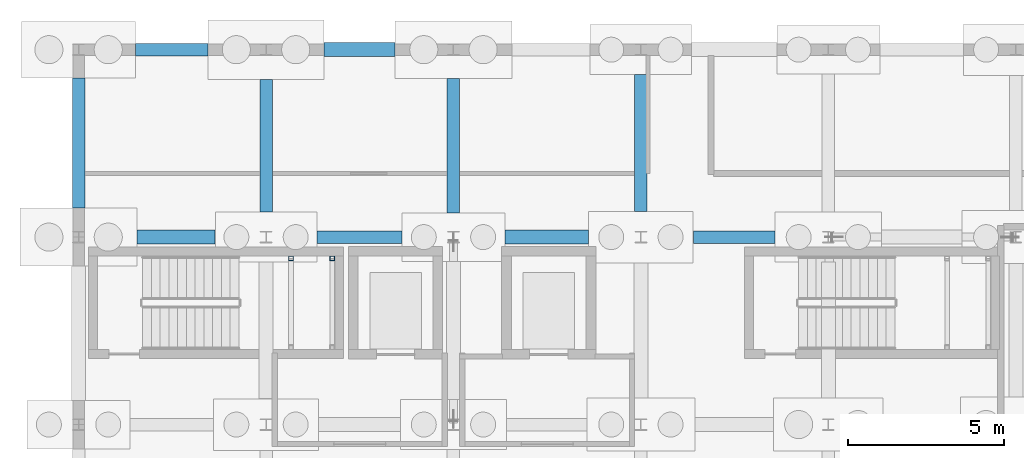
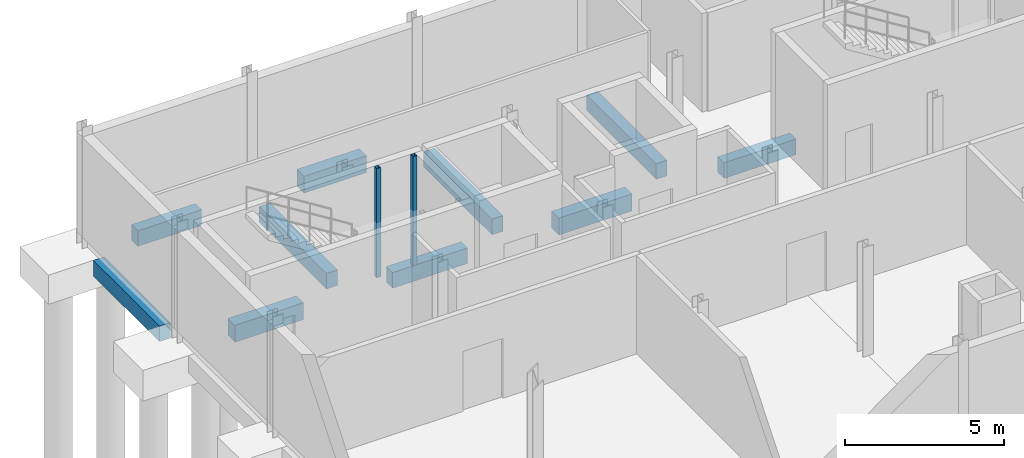
# One storey, part 5 of 12: 10 beams, 2 members.
"""IFC4 building model written with IfcOpenShell, lengths in metres."""

from ifc_helpers import new_model, si_unit, direction, frame, origin, origin_2d, place, context, subcontext, project, spatial, rectangle, hollow_rectangle, extrude, material, material_profile, profile_set, type_object, element, save


model = new_model("IFC4")

# Units and contexts
model_context = context("Model", 3, precision=1e-05, world=origin(), true_north=direction((0.0, 1.0)))
body_context = subcontext(model_context, "Body", "Model", "MODEL_VIEW")
ifc_project = project(units=[si_unit("LENGTHUNIT", "METRE"), si_unit("AREAUNIT", "SQUARE_METRE"), si_unit("VOLUMEUNIT", "CUBIC_METRE"), si_unit("PLANEANGLEUNIT", "RADIAN"), si_unit("MASSUNIT", "GRAM", prefix="KILO")], contexts=[model_context])

# Site, building, storey
site_placement = place(None, origin())
site = spatial("IfcSite", under=ifc_project, at=site_placement, CompositionType="ELEMENT")
building_placement = place(site_placement, origin())
building = spatial("IfcBuilding", under=site, at=building_placement, Name="Siltcreek Boulevard Central Fire Station", CompositionType="ELEMENT")
storey_placement = place(building_placement, frame((0.0, 0.0, -4.199951171875)))
storey = spatial("IfcBuildingStorey", under=building, at=storey_placement, Name="B01", CompositionType="ELEMENT", Elevation=-4.199951171875)

# Members
ifc_material_1 = material(Name="Structural steel ASTM A500 GrC", Category="steel")
ifc_material_profile_1 = material_profile(ifc_material_1, hollow_rectangle(XDim=0.14990234375, YDim=0.14990234375, WallThickness=0.008056640625, at=origin_2d()), Name="HSS150X150X8.0")
ifc_profile_set_1 = profile_set([ifc_material_profile_1], Name="Structural steel ASTM A500 GrC")
member_type = type_object("IfcMemberType", Name="BR_HSS150_8", PredefinedType="BRACE", material=ifc_profile_set_1)
for number, where, z_axis, x_axis, name in (
    (1, (131.0, 105.52001953125, 0.0), (0.0, 0.0, 1.0), (1.0, 0.0, 0.0), "B01 ST-V5A stair landing corner post NW"),
    (2, (132.320068359375, 105.52001953125, 0.0), (0.0, 0.0, 1.0), (1.0, 0.0, 0.0), "B01 ST-V5A stair landing corner post NE"),
):
    element("IfcMember", number, at=place(storey_placement, frame(where, z_axis=z_axis, x_axis=x_axis)), inside=storey, type_object=member_type, Name=name, PredefinedType="BRACE", context=body_context, shape_type="SweptSolid", body=[
        extrude(hollow_rectangle(XDim=0.14990234375, YDim=0.14990234375, WallThickness=0.008056640625, at=origin_2d()), origin(), (0.0, 0.0, 1.0), 4.199951171875),
    ])

# Beams
ifc_material_2 = material(Name="Concrete C35/45", Category="concrete")
ifc_material_profile_2 = material_profile(ifc_material_2, rectangle(XDim=0.39990234375, YDim=0.60009765625, at=origin_2d()), Name="RC400X600")
ifc_profile_set_2 = profile_set([ifc_material_profile_2], Name="Concrete C35/45")
beam_type_1 = type_object("IfcBeamType", Name="GB_RC400X600", PredefinedType="USERDEFINED", material=ifc_profile_set_2)
beam_1_placement = place(storey_placement, frame((131.826904296875, 106.199951171875, -0.75), z_axis=(1.0, 0.0, 0.0), x_axis=(0.0, 1.0, 0.0)))
element("IfcBeam", 3, at=beam_1_placement, inside=storey, type_object=beam_type_1, Name="Reinforced concrete tie grade beam GB-253", ObjectType="GRADE BEAM", PredefinedType="USERDEFINED", context=body_context, shape_type="SweptSolid", body=[
    extrude(rectangle(XDim=0.39990234375, YDim=0.60009765625, at=origin_2d()), origin(), (0.0, 0.0, 1.0), 2.72119140625),
])
beam_2_placement = place(storey_placement, frame((143.876953125, 106.199951171875, -0.75), z_axis=(1.0, 0.0, 0.0), x_axis=(0.0, 1.0, 0.0)))
element("IfcBeam", 4, at=beam_2_placement, inside=storey, type_object=beam_type_1, Name="Reinforced concrete tie grade beam GB-255", ObjectType="GRADE BEAM", PredefinedType="USERDEFINED", context=body_context, shape_type="SweptSolid", body=[
    extrude(rectangle(XDim=0.39990234375, YDim=0.60009765625, at=origin_2d()), origin(), (0.0, 0.0, 1.0), 2.62109375),
])
beam_3_placement = place(storey_placement, frame((126.027099609375, 112.199951171875, -0.75), z_axis=(1.0, 0.0, 0.0), x_axis=(0.0, 1.0, 0.0)))
element("IfcBeam", 5, at=beam_3_placement, inside=storey, type_object=beam_type_1, Name="Reinforced concrete tie grade beam GB-259", ObjectType="GRADE BEAM", PredefinedType="USERDEFINED", context=body_context, shape_type="SweptSolid", body=[
    extrude(rectangle(XDim=0.39990234375, YDim=0.60009765625, at=origin_2d()), origin(), (0.0, 0.0, 1.0), 2.32080078125),
])
beam_4_placement = place(storey_placement, frame((124.199951171875, 107.126953125, -0.75), z_axis=(0.0, 1.0, 0.0), x_axis=(-1.0, 0.0, 0.0)))
element("IfcBeam", 6, at=beam_4_placement, inside=storey, type_object=beam_type_1, Name="Reinforced concrete tie grade beam GB-269", ObjectType="GRADE BEAM", PredefinedType="USERDEFINED", context=body_context, shape_type="SweptSolid", body=[
    extrude(rectangle(XDim=0.39990234375, YDim=0.60009765625, at=origin_2d()), origin(), (0.0, 0.0, 1.0), 4.171142578125),
])
beam_5_placement = place(storey_placement, frame((130.199951171875, 107.001953125, -0.75), z_axis=(0.0, 1.0, 0.0), x_axis=(-1.0, 0.0, 0.0)))
element("IfcBeam", 7, at=beam_5_placement, inside=storey, type_object=beam_type_1, Name="Reinforced concrete tie grade beam GB-273", ObjectType="GRADE BEAM", PredefinedType="USERDEFINED", context=body_context, shape_type="SweptSolid", body=[
    extrude(rectangle(XDim=0.39990234375, YDim=0.60009765625, at=origin_2d()), origin(), (0.0, 0.0, 1.0), 4.24609375),
])
beam_6_placement = place(storey_placement, frame((136.199951171875, 106.97705078125, -0.75), z_axis=(0.0, 1.0, 0.0), x_axis=(-1.0, 0.0, 0.0)))
element("IfcBeam", 8, at=beam_6_placement, inside=storey, type_object=beam_type_1, Name="Reinforced concrete tie grade beam GB-277", ObjectType="GRADE BEAM", PredefinedType="USERDEFINED", context=body_context, shape_type="SweptSolid", body=[
    extrude(rectangle(XDim=0.39990234375, YDim=0.60009765625, at=origin_2d()), origin(), (0.0, 0.0, 1.0), 4.2958984375),
])
beam_7_placement = place(storey_placement, frame((142.199951171875, 107.027099609375, -0.75), z_axis=(0.0, 1.0, 0.0), x_axis=(-1.0, 0.0, 0.0)))
element("IfcBeam", 9, at=beam_7_placement, inside=storey, type_object=beam_type_1, Name="Reinforced concrete tie grade beam GB-281", ObjectType="GRADE BEAM", PredefinedType="USERDEFINED", context=body_context, shape_type="SweptSolid", body=[
    extrude(rectangle(XDim=0.39990234375, YDim=0.60009765625, at=origin_2d()), origin(), (0.0, 0.0, 1.0), 4.370849609375),
])
ifc_material_profile_3 = material_profile(ifc_material_2, rectangle(XDim=0.449951171875, YDim=0.64990234375, at=origin_2d()), Name="RC450X650")
ifc_profile_set_3 = profile_set([ifc_material_profile_3], Name="Concrete C35/45")
beam_type_2 = type_object("IfcBeamType", Name="GB_RC450X650", PredefinedType="USERDEFINED", material=ifc_profile_set_3)
beam_8_placement = place(storey_placement, frame((126.076904296875, 106.199951171875, -0.775146484375), z_axis=(1.0, 0.0, 0.0), x_axis=(0.0, 1.0, 0.0)))
element("IfcBeam", 10, at=beam_8_placement, inside=storey, type_object=beam_type_2, Name="Reinforced concrete tie grade beam GB-252", ObjectType="GRADE BEAM", PredefinedType="USERDEFINED", context=body_context, shape_type="SweptSolid", body=[
    extrude(rectangle(XDim=0.449951171875, YDim=0.64990234375, at=origin_2d()), origin(), (0.0, 0.0, 1.0), 2.49609375),
])
beam_9_placement = place(storey_placement, frame((137.85205078125, 106.199951171875, -0.775146484375), z_axis=(1.0, 0.0, 0.0), x_axis=(0.0, 1.0, 0.0)))
element("IfcBeam", 11, at=beam_9_placement, inside=storey, type_object=beam_type_2, Name="Reinforced concrete tie grade beam GB-254", ObjectType="GRADE BEAM", PredefinedType="USERDEFINED", context=body_context, shape_type="SweptSolid", body=[
    extrude(rectangle(XDim=0.449951171875, YDim=0.64990234375, at=origin_2d()), origin(), (0.0, 0.0, 1.0), 2.6708984375),
])
beam_10_placement = place(storey_placement, frame((132.052001953125, 112.199951171875, -0.775146484375), z_axis=(1.0, 0.0, 0.0), x_axis=(0.0, 1.0, 0.0)))
element("IfcBeam", 12, at=beam_10_placement, inside=storey, type_object=beam_type_2, Name="Reinforced concrete tie grade beam GB-260", ObjectType="GRADE BEAM", PredefinedType="USERDEFINED", context=body_context, shape_type="SweptSolid", body=[
    extrude(rectangle(XDim=0.449951171875, YDim=0.64990234375, at=origin_2d()), origin(), (0.0, 0.0, 1.0), 2.27099609375),
])

save(model, "model.ifc")
